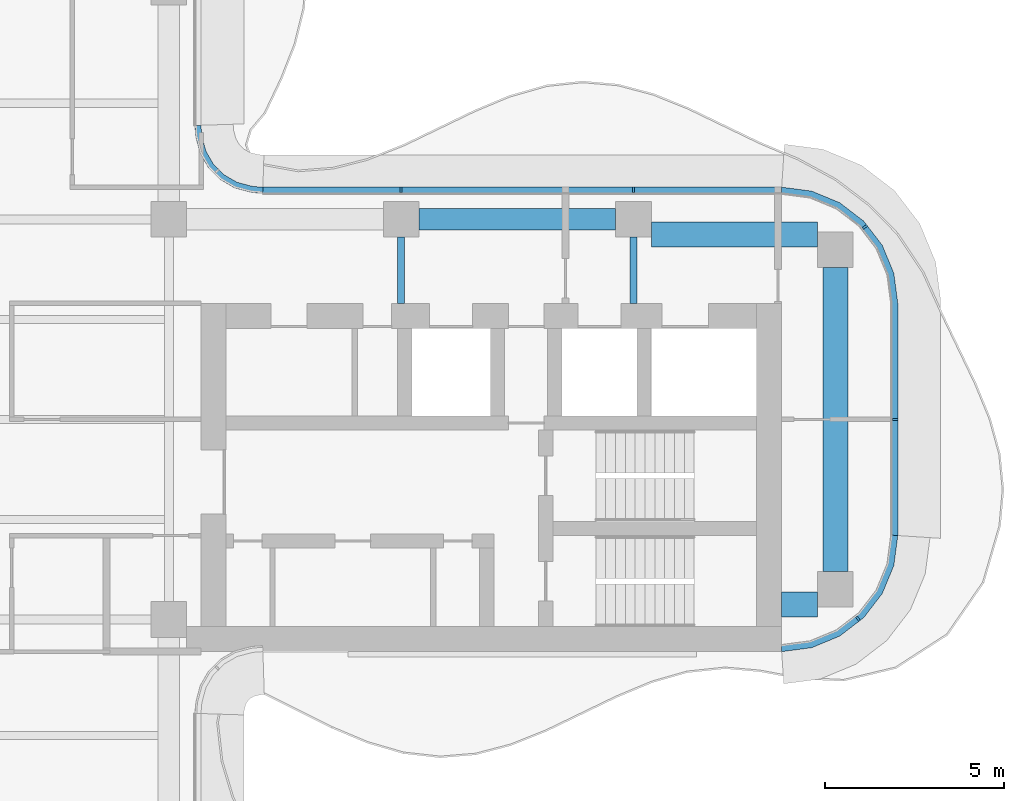
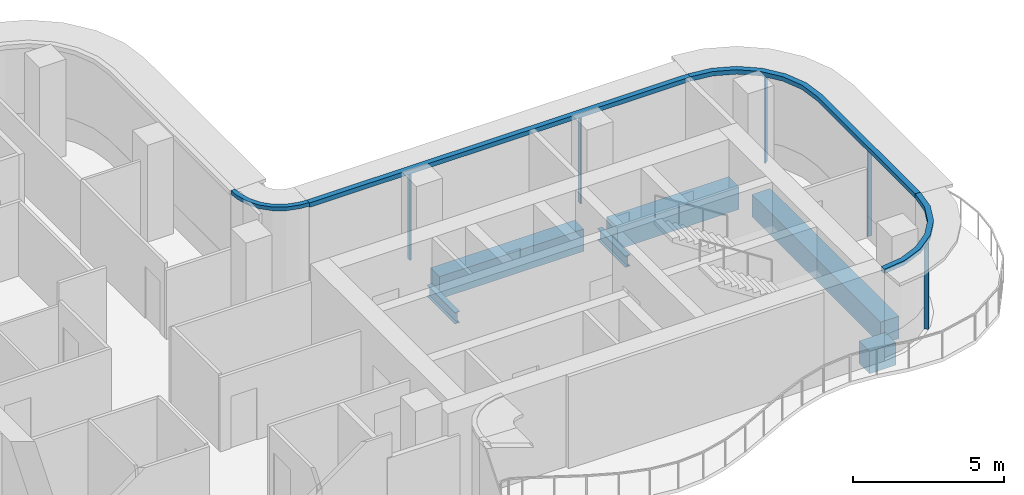
# One storey, part 6 of 16: 9 members, 6 beams, 4 elements without a shape of their own.
"""IFC4 building model written with IfcOpenShell, lengths in metres."""

from ifc_helpers import new_model, si_unit, direction, frame, origin, origin_2d, place, context, subcontext, project, spatial, polyline, rectangle, i_section, outline, extrude, source, transform, mapped, material, layer, layer_set, material_profile, profile_set, type_object, element, aggregate, save


model = new_model("IFC4")

# Units and contexts
model_context = context("Model", 3, precision=1e-05, world=origin(), true_north=direction((0.0, 1.0)))
body_context = subcontext(model_context, "Body", "Model", "MODEL_VIEW")
ifc_project = project(units=[si_unit("LENGTHUNIT", "METRE"), si_unit("AREAUNIT", "SQUARE_METRE"), si_unit("VOLUMEUNIT", "CUBIC_METRE"), si_unit("PLANEANGLEUNIT", "RADIAN"), si_unit("MASSUNIT", "GRAM", prefix="KILO")], contexts=[model_context])

# Site, building, storey
site_placement = place(None, origin())
site = spatial("IfcSite", under=ifc_project, at=site_placement, CompositionType="ELEMENT")
building_placement = place(site_placement, origin())
building = spatial("IfcBuilding", under=site, at=building_placement, Name="Trellis Farm Tower", CompositionType="ELEMENT")
storey_placement = place(building_placement, frame((0.0, 0.0, 322.300048828125)))
storey = spatial("IfcBuildingStorey", under=building, at=storey_placement, Name="L73", CompositionType="ELEMENT", Elevation=322.300048828125)

# Beams
ifc_material_1 = material(Name="Steel S355", Category="steel")
ifc_material_profile_1 = material_profile(ifc_material_1, i_section(OverallWidth=0.1904296875, OverallDepth=0.45703125, WebThickness=0.009033203125, FlangeThickness=0.014404296875, FilletRadius=0.01025390625, at=origin_2d()), Name="UB 457x191x74")
ifc_profile_set_1 = profile_set([ifc_material_profile_1], Name="Steel S355")
beam_type_1 = type_object("IfcBeamType", Name="UB 457x191x74", PredefinedType="BEAM", material=ifc_profile_set_1)
shared_shape_1 = source(origin(), body_context, "Body", "SweptSolid", [
    extrude(i_section(OverallWidth=0.1904296875, OverallDepth=0.45703125, WebThickness=0.009033203125, FlangeThickness=0.014404296875, FilletRadius=0.01025390625, at=origin_2d()), origin(), (0.0, 0.0, 1.0), 1.85009765625),
])
for number, where, z_axis, x_axis, name in (
    (1, (12.10009765625, 3.25, -0.428466796875), (0.0, 1.0, 0.0), (-1.0, 0.0, 0.0), "Girder"),
    (2, (18.60009765625, 3.25, -0.428466796875), (0.0, 1.0, 0.0), (-1.0, 0.0, 0.0), "Girder"),
):
    element("IfcBeam", number, at=place(storey_placement, frame(where, z_axis=z_axis, x_axis=x_axis)), inside=storey, type_object=beam_type_1, Name=name, PredefinedType="BEAM", context=body_context, shape_type="MappedRepresentation", body=[
        mapped(shared_shape_1, transform((0.0, 0.0, 0.0))),
    ])
ifc_material_2 = material(Name="Concrete C60/75", Category="concrete")
ifc_material_profile_2 = material_profile(ifc_material_2, rectangle(XDim=0.60009765625, YDim=0.89990234375, at=origin_2d()), Name="RC spandrel beam 600x900 C60/75")
ifc_profile_set_2 = profile_set([ifc_material_profile_2], Name="Concrete C60/75")
beam_type_2 = type_object("IfcBeamType", Name="RC spandrel beam 600x900 C60/75", PredefinedType="SPANDREL", material=ifc_profile_set_2)
shared_shape_2 = source(origin(), body_context, "Body", "SweptSolid", [
    extrude(rectangle(XDim=0.60009765625, YDim=0.89990234375, at=origin_2d()), origin(), (0.0, 0.0, 1.0), 5.5),
])
beam_1_placement = place(storey_placement, frame((12.60009765625, 5.60009765625, -0.650146484375), z_axis=(1.0, 0.0, 0.0), x_axis=(0.0, 1.0, 0.0)))
element("IfcBeam", 3, at=beam_1_placement, inside=storey, type_object=beam_type_2, Name="Girder", PredefinedType="SPANDREL", context=body_context, shape_type="MappedRepresentation", body=[
    mapped(shared_shape_2, transform((0.0, 0.0, 0.0))),
])
ifc_material_profile_3 = material_profile(ifc_material_2, rectangle(XDim=0.699951171875, YDim=0.89990234375, at=origin_2d()), Name="RC spandrel beam 700x900 C60/75")
ifc_profile_set_3 = profile_set([ifc_material_profile_3], Name="Concrete C60/75")
beam_type_3 = type_object("IfcBeamType", Name="RC spandrel beam 700x900 C60/75", PredefinedType="SPANDREL", material=ifc_profile_set_3)
shared_shape_3 = source(origin(), body_context, "Body", "SweptSolid", [
    extrude(rectangle(XDim=0.699951171875, YDim=0.89990234375, at=origin_2d()), origin(), (0.0, 0.0, 1.0), 1.0),
])
beam_2_placement = place(storey_placement, frame((22.75, -5.175048828125, -0.650146484375), z_axis=(1.0, 0.0, 0.0), x_axis=(0.0, 1.0, 0.0)))
element("IfcBeam", 4, at=beam_2_placement, inside=storey, type_object=beam_type_3, Name="Girder", PredefinedType="SPANDREL", context=body_context, shape_type="MappedRepresentation", body=[
    mapped(shared_shape_3, transform((0.0, 0.0, 0.0))),
])
shared_shape_4 = source(origin(), body_context, "Body", "SweptSolid", [
    extrude(rectangle(XDim=0.699951171875, YDim=0.89990234375, at=origin_2d()), origin(), (0.0, 0.0, 1.0), 4.64990234375),
])
beam_3_placement = place(storey_placement, frame((19.10009765625, 5.175048828125, -0.650146484375), z_axis=(1.0, 0.0, 0.0), x_axis=(0.0, 1.0, 0.0)))
element("IfcBeam", 5, at=beam_3_placement, inside=storey, type_object=beam_type_3, Name="Girder", PredefinedType="SPANDREL", context=body_context, shape_type="MappedRepresentation", body=[
    mapped(shared_shape_4, transform((0.0, 0.0, 0.0))),
])
shared_shape_5 = source(origin(), body_context, "Body", "SweptSolid", [
    extrude(rectangle(XDim=0.699951171875, YDim=0.89990234375, at=origin_2d()), origin(), (0.0, 0.0, 1.0), 8.5),
])
beam_4_placement = place(storey_placement, frame((24.25, -4.25, -0.650146484375), z_axis=(0.0, 1.0, 0.0), x_axis=(-1.0, 0.0, 0.0)))
element("IfcBeam", 6, at=beam_4_placement, inside=storey, type_object=beam_type_3, Name="Girder", PredefinedType="SPANDREL", context=body_context, shape_type="MappedRepresentation", body=[
    mapped(shared_shape_5, transform((0.0, 0.0, 0.0))),
])

# Curtain wall, member
ifc_material_3 = material(Name="Aluminium and glass curtain wall", Category="aluminium")
ifc_layer_1 = layer(ifc_material_3, 0.166015625)
ifc_layer_set_1 = layer_set([ifc_layer_1], Name="WINTER GARDEN CURTAIN WALL CW3")
curtain_wall_type_1 = type_object("IfcCurtainWallType", Name="WINTER GARDEN CURTAIN WALL CW3", PredefinedType="NOTDEFINED", material=ifc_layer_set_1)
placement_1 = place(storey_placement, origin())
curtain_wall_1 = element("IfcCurtainWall", 7, at=placement_1, inside=storey, type_object=curtain_wall_type_1, Name="CW3 003", PredefinedType="NOTDEFINED")
ifc_material_4 = material(Name="Aluminium extrusion 6063-T6", Category="aluminium")
ifc_layer_2 = layer(ifc_material_4, 0.169921875)
ifc_layer_set_2 = layer_set([ifc_layer_2], Name="Aluminium extrusion 6063-T6")
member_type_1 = type_object("IfcMemberType", Name="CW3 TRANSOM 170x150", PredefinedType="USERDEFINED", material=ifc_layer_set_2)
shared_shape_6 = source(origin(), body_context, "Body", "SweptSolid", [
    extrude(outline(polyline([(8.2314453125, 6.5), (8.01953125, 6.513916015625), (7.91552734375, 6.527587890625), (7.508544921875, 6.63671875), (7.144287109375, 6.846923828125), (6.846923828125, 7.144287109375), (6.63671875, 7.508544921875), (6.527587890625, 7.91552734375), (6.513916015625, 8.01953125), (6.5, 8.2314453125), (6.330078125, 8.225830078125), (6.3447265625, 8.0029296875), (6.360595703125, 7.88232421875), (6.478271484375, 7.44287109375), (6.7109375, 7.0400390625), (7.0400390625, 6.7109375), (7.44287109375, 6.478271484375), (7.88232421875, 6.360595703125), (8.0029296875, 6.3447265625), (8.225830078125, 6.330078125), (8.2314453125, 6.5)])), origin(), (0.0, 0.0, 1.0), 0.14990234375),
])
member_1_placement = place(storey_placement, frame((0.0, 0.0, 3.550048828125)))
member_1 = element("IfcMember", 8, at=member_1_placement, type_object=member_type_1, Name="TR3 003", ObjectType="TRANSOM", PredefinedType="USERDEFINED", context=body_context, shape_type="MappedRepresentation", body=[
    mapped(shared_shape_6, transform((0.0, 0.0, 0.0))),
])
aggregate(curtain_wall_1, [member_1])

ifc_layer_3 = layer(ifc_material_3, 0.18994140625)
ifc_layer_set_3 = layer_set([ifc_layer_3], Name="RIBBON CURTAIN WALL CW1")
curtain_wall_type_2 = type_object("IfcCurtainWallType", Name="RIBBON CURTAIN WALL CW1", PredefinedType="NOTDEFINED", material=ifc_layer_set_3)
curtain_wall_2 = element("IfcCurtainWall", 9, at=placement_1, inside=storey, type_object=curtain_wall_type_2, Name="CW1 006", PredefinedType="NOTDEFINED")
ifc_material_profile_4 = material_profile(ifc_material_4, rectangle(XDim=0.06005859375, YDim=0.14990234375, at=origin_2d()), Name="MULLION 60x150")
ifc_profile_set_4 = profile_set([ifc_material_profile_4], Name="Aluminium extrusion 6063-T6")
member_type_2 = type_object("IfcMemberType", Name="CW1 MULLION 60x150", PredefinedType="MULLION", material=ifc_profile_set_4)
shared_shape_7 = source(origin(), body_context, "Body", "SweptSolid", [
    extrude(rectangle(XDim=0.06005859375, YDim=0.14990234375, at=origin_2d()), origin(), (0.0, 0.0, 1.0), 3.52001953125),
])
member_2_placement = place(storey_placement, frame((24.885498046875, -5.578369140625, 0.0), z_axis=(0.0, 0.0, 1.0), x_axis=(0.793353340291, 0.608761429009, 0.0)))
member_2 = element("IfcMember", 10, at=member_2_placement, type_object=member_type_2, Name="MU1 006-01", PredefinedType="MULLION", context=body_context, shape_type="MappedRepresentation", body=[
    mapped(shared_shape_7, transform((0.0, 0.0, 0.0))),
])

# Curtain wall, members
curtain_wall_3 = element("IfcCurtainWall", 11, at=placement_1, inside=storey, type_object=curtain_wall_type_2, Name="CW1 007", PredefinedType="NOTDEFINED")
member_3_placement = place(storey_placement, frame((25.925048828125, 0.0, 0.0), z_axis=(0.0, 0.0, 1.0), x_axis=(0.0, 1.0, 0.0)))
member_3 = element("IfcMember", 12, at=member_3_placement, type_object=member_type_2, Name="MU1 007-01", PredefinedType="MULLION", context=body_context, shape_type="MappedRepresentation", body=[
    mapped(shared_shape_7, transform((0.0, 0.0, 0.0))),
])
member_4_placement = place(storey_placement, frame((25.078369140625, 5.385498046875, 0.0), z_axis=(0.0, 0.0, 1.0), x_axis=(-0.608761429009, 0.793353340291, 0.0)))
member_4 = element("IfcMember", 13, at=member_4_placement, type_object=member_type_2, Name="MU1 007-02", PredefinedType="MULLION", context=body_context, shape_type="MappedRepresentation", body=[
    mapped(shared_shape_7, transform((0.0, 0.0, 0.0))),
])

curtain_wall_4 = element("IfcCurtainWall", 14, at=placement_1, inside=storey, type_object=curtain_wall_type_2, Name="CW1 008", PredefinedType="NOTDEFINED")
member_5_placement = place(storey_placement, frame((18.60009765625, 6.425048828125, 0.0), z_axis=(0.0, 0.0, 1.0), x_axis=(-1.0, 0.0, 0.0)))
member_5 = element("IfcMember", 15, at=member_5_placement, type_object=member_type_2, Name="MU1 008-01", PredefinedType="MULLION", context=body_context, shape_type="MappedRepresentation", body=[
    mapped(shared_shape_7, transform((0.0, 0.0, 0.0))),
])
member_6_placement = place(storey_placement, frame((12.10009765625, 6.425048828125, 0.0), z_axis=(0.0, 0.0, 1.0), x_axis=(-1.0, 0.0, 0.0)))
member_6 = element("IfcMember", 16, at=member_6_placement, type_object=member_type_2, Name="MU1 008-02", PredefinedType="MULLION", context=body_context, shape_type="MappedRepresentation", body=[
    mapped(shared_shape_7, transform((0.0, 0.0, 0.0))),
])

# Member
ifc_layer_4 = layer(ifc_material_4, 0.199951171875)
ifc_layer_set_4 = layer_set([ifc_layer_4], Name="Aluminium extrusion 6063-T6")
member_type_3 = type_object("IfcMemberType", Name="CW1 TRANSOM 200x180", PredefinedType="USERDEFINED", material=ifc_layer_set_4)
shared_shape_8 = source(origin(), body_context, "Body", "SweptSolid", [
    extrude(outline(polyline([(22.75, -6.5), (23.591064453125, -6.38916015625), (24.375, -6.064697265625), (25.048095703125, -5.548095703125), (25.564697265625, -4.875), (25.88916015625, -4.091064453125), (26.0, -3.25), (25.800048828125, -3.23681640625), (25.6943359375, -4.0390625), (25.389892578125, -4.774169921875), (24.905517578125, -5.405517578125), (24.274169921875, -5.889892578125), (23.5390625, -6.1943359375), (22.73681640625, -6.300048828125), (22.75, -6.5)])), origin(), (0.0, 0.0, 1.0), 0.179931640625),
])
placement_2 = place(storey_placement, frame((0.0, 0.0, 3.52001953125)))
member_7 = element("IfcMember", 17, at=placement_2, type_object=member_type_3, Name="TR1 006", ObjectType="TRANSOM", PredefinedType="USERDEFINED", context=body_context, shape_type="MappedRepresentation", body=[
    mapped(shared_shape_8, transform((0.0, 0.0, 0.0))),
])

aggregate(curtain_wall_2, [member_2, member_7])

shared_shape_9 = source(origin(), body_context, "Body", "SweptSolid", [
    extrude(outline(polyline([(22.75, 6.5), (8.2314453125, 6.5), (8.224853515625, 6.300048828125), (22.73681640625, 6.300048828125), (22.75, 6.5)])), origin(), (0.0, 0.0, 1.0), 0.179931640625),
])
member_8 = element("IfcMember", 18, at=placement_2, type_object=member_type_3, Name="TR1 008", ObjectType="TRANSOM", PredefinedType="USERDEFINED", context=body_context, shape_type="MappedRepresentation", body=[
    mapped(shared_shape_9, transform((0.0, 0.0, 0.0))),
])

aggregate(curtain_wall_4, [member_5, member_6, member_8])

shared_shape_10 = source(origin(), body_context, "Body", "SweptSolid", [
    extrude(outline(polyline([(26.0, -3.25), (26.0, 3.25), (25.88916015625, 4.091064453125), (25.564697265625, 4.875), (25.048095703125, 5.548095703125), (24.375, 6.064697265625), (23.591064453125, 6.38916015625), (22.75, 6.5), (22.73681640625, 6.300048828125), (23.5390625, 6.1943359375), (24.274169921875, 5.889892578125), (24.905517578125, 5.405517578125), (25.389892578125, 4.774169921875), (25.6943359375, 4.0390625), (25.800048828125, 3.23681640625), (25.800048828125, -3.23681640625), (26.0, -3.25)])), origin(), (0.0, 0.0, 1.0), 0.179931640625),
])
member_9 = element("IfcMember", 19, at=placement_2, type_object=member_type_3, Name="TR1 007", ObjectType="TRANSOM", PredefinedType="USERDEFINED", context=body_context, shape_type="MappedRepresentation", body=[
    mapped(shared_shape_10, transform((0.0, 0.0, 0.0))),
])

aggregate(curtain_wall_3, [member_3, member_4, member_9])

save(model, "model.ifc")
